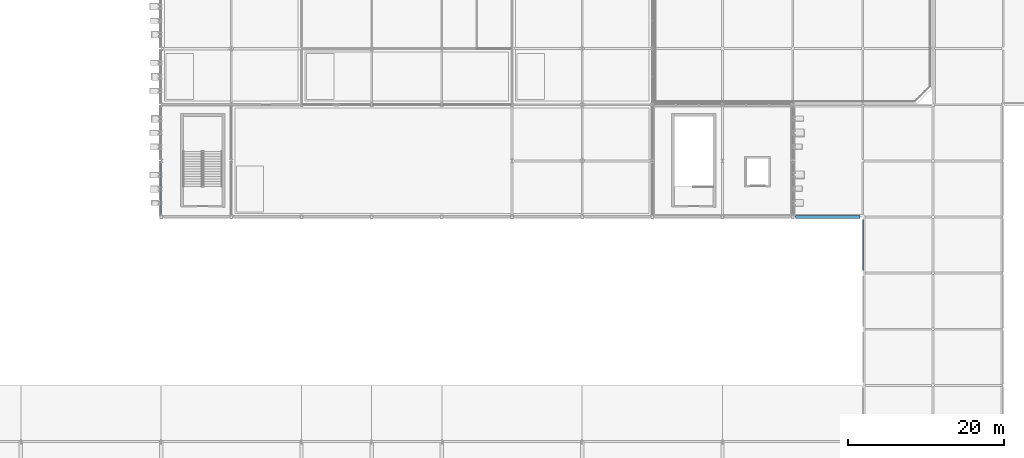
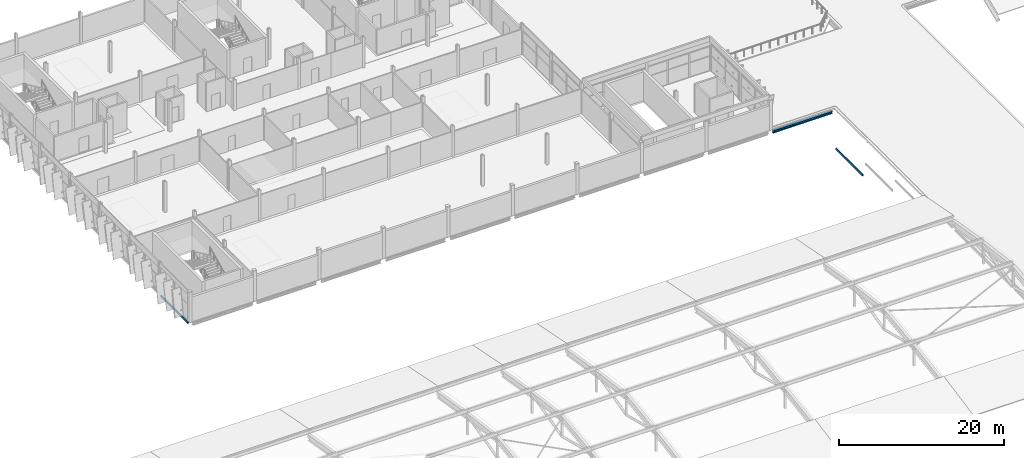
# One storey, part 24 of 78: 3 beams.
"""IFC4 building model written with IfcOpenShell, lengths in metres."""

from ifc_helpers import new_model, si_unit, direction, frame, origin, origin_2d, place, context, subcontext, project, spatial, hollow_rectangle, i_section, extrude, material, material_profile, profile_set, type_object, element, save


model = new_model("IFC4")

# Units and contexts
model_context = context("Model", 3, precision=1e-05, world=origin(), true_north=direction((0.0, 1.0)))
body_context = subcontext(model_context, "Body", "Model", "MODEL_VIEW")
ifc_project = project(units=[si_unit("LENGTHUNIT", "METRE"), si_unit("AREAUNIT", "SQUARE_METRE"), si_unit("VOLUMEUNIT", "CUBIC_METRE"), si_unit("PLANEANGLEUNIT", "RADIAN"), si_unit("MASSUNIT", "GRAM", prefix="KILO")], contexts=[model_context])

# Site, building, storey
site_placement = place(None, origin())
site = spatial("IfcSite", under=ifc_project, at=site_placement, CompositionType="ELEMENT")
building_placement = place(site_placement, origin())
building = spatial("IfcBuilding", under=site, at=building_placement, Name="Celestram Park Convention Centre", CompositionType="ELEMENT")
storey_placement = place(building_placement, frame((0.0, 0.0, 19.800048828125)))
storey = spatial("IfcBuildingStorey", under=building, at=storey_placement, Name="L04", CompositionType="ELEMENT", Elevation=19.800048828125)

# Beams
ifc_material_1 = material(Name="Steel ASTM A500 Grade C", Category="steel")
ifc_material_profile_1 = material_profile(ifc_material_1, hollow_rectangle(XDim=0.14990234375, YDim=0.25, WallThickness=0.010009765625, at=origin_2d()), Name="HSS250X150X10")
ifc_profile_set_1 = profile_set([ifc_material_profile_1], Name="Steel ASTM A500 Grade C")
beam_type_1 = type_object("IfcBeamType", Name="STR-SPN-HSS250X150", PredefinedType="SPANDREL", material=ifc_profile_set_1)
beam_1_placement = place(storey_placement, frame((36.0, 108.347900390625, -0.375), z_axis=(0.0, 1.0, 0.0), x_axis=(-1.0, 0.0, 0.0)))
element("IfcBeam", 1, at=beam_1_placement, inside=storey, type_object=beam_type_1, Name="Primary Y-girder BG-L04-0002", PredefinedType="SPANDREL", context=body_context, shape_type="SweptSolid", body=[
    extrude(hollow_rectangle(XDim=0.14990234375, YDim=0.25, WallThickness=0.010009765625, at=origin_2d()), origin(), (0.0, 0.0, 1.0), 6.55419921875),
])
beam_2_placement = place(storey_placement, frame((126.0, 101.14794921875, -5.76513671875), z_axis=(0.0, 1.0, 0.0), x_axis=(-1.0, 0.0, 0.0)))
element("IfcBeam", 2, at=beam_2_placement, inside=storey, type_object=beam_type_1, Name="Primary Y-girder BG-L04-0161", PredefinedType="SPANDREL", context=body_context, shape_type="SweptSolid", body=[
    extrude(hollow_rectangle(XDim=0.14990234375, YDim=0.25, WallThickness=0.010009765625, at=origin_2d()), origin(), (0.0, 0.0, 1.0), 6.504150390625),
])
ifc_material_2 = material(Name="Steel ASTM A992 Grade 50", Category="steel")
ifc_material_profile_2 = material_profile(ifc_material_2, i_section(OverallWidth=0.367919921875, OverallDepth=0.35595703125, WebThickness=0.01123046875, FlangeThickness=0.01806640625, at=origin_2d()), Name="W14X90")
ifc_profile_set_2 = profile_set([ifc_material_profile_2], Name="Steel ASTM A992 Grade 50")
beam_type_2 = type_object("IfcBeamType", Name="STR-SPN-W14X90", PredefinedType="SPANDREL", material=ifc_profile_set_2)
beam_3_placement = place(storey_placement, frame((117.347900390625, 108.0, -0.41796875), z_axis=(1.0, 0.0, 0.0), x_axis=(0.0, 1.0, 0.0)))
element("IfcBeam", 3, at=beam_3_placement, inside=storey, type_object=beam_type_2, Name="Primary X-girder BG-L04-0131", PredefinedType="SPANDREL", context=body_context, shape_type="SweptSolid", body=[
    extrude(i_section(OverallWidth=0.367919921875, OverallDepth=0.35595703125, WebThickness=0.01123046875, FlangeThickness=0.01806640625, at=origin_2d()), origin(), (0.0, 0.0, 1.0), 8.30419921875),
])

save(model, "model.ifc")
